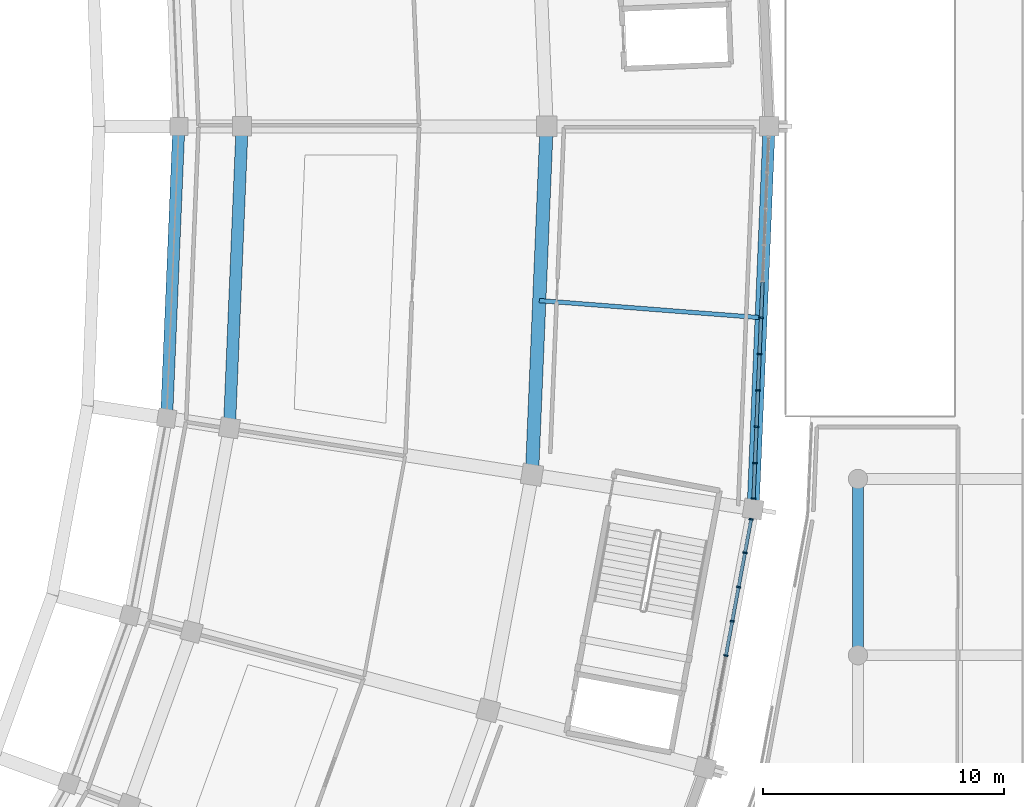
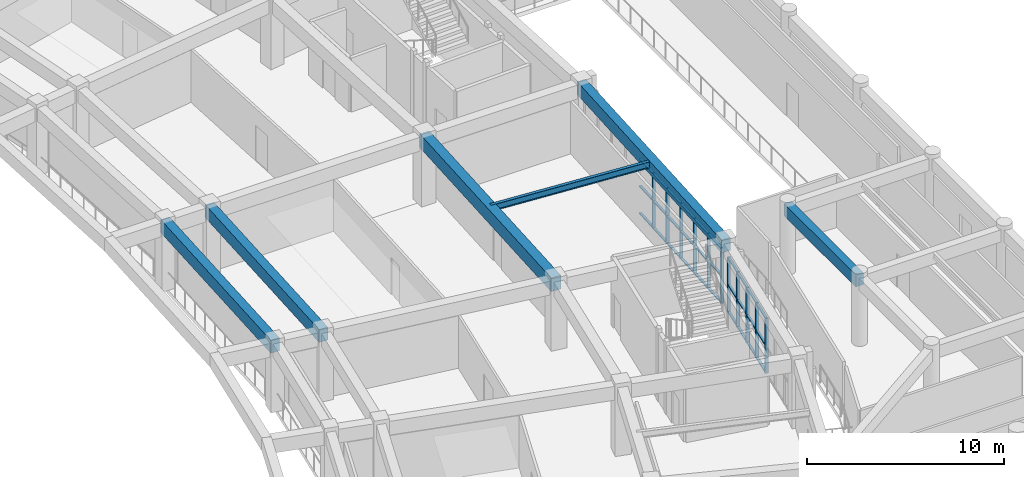
# One storey, part 48 of 145: 41 members, 6 beams, 2 elements without a shape of their own.
"""IFC4 building model written with IfcOpenShell, lengths in metres."""

from ifc_helpers import new_model, si_unit, direction, frame, origin, origin_2d, place, context, subcontext, project, spatial, rectangle, i_section, extrude, material, layer, layer_set, material_profile, profile_set, type_object, element, aggregate, save


model = new_model("IFC4")

# Units and contexts
model_context = context("Model", 3, precision=1e-05, world=origin(), true_north=direction((0.0, 1.0)))
body_context = subcontext(model_context, "Body", "Model", "MODEL_VIEW")
ifc_project = project(units=[si_unit("LENGTHUNIT", "METRE"), si_unit("AREAUNIT", "SQUARE_METRE"), si_unit("VOLUMEUNIT", "CUBIC_METRE"), si_unit("PLANEANGLEUNIT", "RADIAN"), si_unit("MASSUNIT", "GRAM", prefix="KILO")], contexts=[model_context])

# Site, building, storey
site_placement = place(None, origin())
site = spatial("IfcSite", under=ifc_project, at=site_placement, CompositionType="ELEMENT")
building_placement = place(site_placement, origin())
building = spatial("IfcBuilding", under=site, at=building_placement, Name="Mphavela Belvedere Stadium", CompositionType="ELEMENT")
storey_placement = place(building_placement, frame((0.0, 0.0, 10.199951171875)))
storey = spatial("IfcBuildingStorey", under=building, at=storey_placement, Name="L02", CompositionType="ELEMENT", Elevation=10.199951171875)

# Beams
ifc_material_1 = material(Name="Steel S355", Category="steel")
ifc_material_profile_1 = material_profile(ifc_material_1, i_section(OverallWidth=0.179931640625, OverallDepth=0.39990234375, WebThickness=0.008544921875, FlangeThickness=0.013427734375, at=origin_2d()), Name="IPE 400")
ifc_profile_set_1 = profile_set([ifc_material_profile_1], Name="Steel S355")
beam_type_1 = type_object("IfcBeamType", Name="BM-JOIST-IPE400", PredefinedType="JOIST", material=ifc_profile_set_1)
beam_1_placement = place(storey_placement, frame((208.302490234375, 79.78759765625, 4.050048828125), z_axis=(0.997024166372, -0.077089634, 0.0), x_axis=(0.077089634, 0.997024166372, 0.0)))
element("IfcBeam", 1, at=beam_1_placement, inside=storey, type_object=beam_type_1, Name="Concourse floor joist L02-48", PredefinedType="JOIST", context=body_context, shape_type="SweptSolid", body=[
    extrude(i_section(OverallWidth=0.179931640625, OverallDepth=0.39990234375, WebThickness=0.008544921875, FlangeThickness=0.013427734375, at=origin_2d()), origin(), (0.0, 0.0, 1.0), 9.212646484375),
])
ifc_material_2 = material(Name="Concrete C40/50", Category="concrete")
ifc_material_profile_2 = material_profile(ifc_material_2, rectangle(XDim=0.449951171875, YDim=0.75, at=origin_2d()), Name="RC 450x750")
ifc_profile_set_2 = profile_set([ifc_material_profile_2], Name="Concrete C40/50")
beam_type_2 = type_object("IfcBeamType", Name="BM-RC450x750", PredefinedType="BEAM", material=ifc_profile_set_2)
beam_2_placement = place(storey_placement, frame((221.5, 65.10009765625, 3.864990234375), z_axis=(0.0, 1.0, 0.0), x_axis=(-1.0, 0.0, 0.0)))
element("IfcBeam", 2, at=beam_2_placement, inside=storey, type_object=beam_type_2, Name="East Planted Eaves Peristyle Colonnade entablature beam Y L02 8-3", PredefinedType="BEAM", context=body_context, shape_type="SweptSolid", body=[
    extrude(rectangle(XDim=0.449951171875, YDim=0.75, at=origin_2d()), origin(), (0.0, 0.0, 1.0), 7.2998046875),
])
ifc_material_3 = material(Name="Concrete C40/50", Category="concrete")
ifc_material_profile_3 = material_profile(ifc_material_3, rectangle(XDim=0.5, YDim=0.800048828125, at=origin_2d()), Name="RC 500x800")
ifc_profile_set_3 = profile_set([ifc_material_profile_3], Name="Concrete C40/50")
beam_type_3 = type_object("IfcBeamType", Name="BM-RC500x800", PredefinedType="BEAM", material=ifc_profile_set_3)
beam_3_placement = place(storey_placement, frame((192.869384765625, 74.921875, 3.85009765625), z_axis=(0.041906072647, 0.999121554705, 0.0), x_axis=(-0.999121554705, 0.041906072647, 0.0)))
element("IfcBeam", 3, at=beam_3_placement, inside=storey, type_object=beam_type_3, Name="Circumferential girder L02 R1-48", PredefinedType="BEAM", context=body_context, shape_type="SweptSolid", body=[
    extrude(rectangle(XDim=0.5, YDim=0.800048828125, at=origin_2d()), origin(), (0.0, 0.0, 1.0), 12.088623046875),
])
beam_4_placement = place(storey_placement, frame((195.471435546875, 74.518310546875, 3.85009765625), z_axis=(0.04191911123, 0.999121007743, 0.0), x_axis=(-0.999121007743, 0.04191911123, 0.0)))
element("IfcBeam", 4, at=beam_4_placement, inside=storey, type_object=beam_type_3, Name="Circumferential girder L02 R2-48", PredefinedType="BEAM", context=body_context, shape_type="SweptSolid", body=[
    extrude(rectangle(XDim=0.5, YDim=0.800048828125, at=origin_2d()), origin(), (0.0, 0.0, 1.0), 12.49267578125),
])
ifc_material_4 = material(Name="Concrete C40/50", Category="concrete")
ifc_material_profile_4 = material_profile(ifc_material_4, rectangle(XDim=0.550048828125, YDim=0.85009765625, at=origin_2d()), Name="RC 550x850")
ifc_profile_set_4 = profile_set([ifc_material_profile_4], Name="Concrete C40/50")
beam_type_4 = type_object("IfcBeamType", Name="BM-RC550x850", PredefinedType="BEAM", material=ifc_profile_set_4)
beam_5_placement = place(storey_placement, frame((208.0, 72.5751953125, 3.824951171875), z_axis=(0.041903450766, 0.99912166467, 0.0), x_axis=(-0.99912166467, 0.041903450766, 0.0)))
element("IfcBeam", 5, at=beam_5_placement, inside=storey, type_object=beam_type_4, Name="Circumferential girder L02 R3-48", PredefinedType="BEAM", context=body_context, shape_type="SweptSolid", body=[
    extrude(rectangle(XDim=0.550048828125, YDim=0.85009765625, at=origin_2d()), origin(), (0.0, 0.0, 1.0), 14.4375),
])
ifc_material_5 = material(Name="Concrete C40/50", Category="concrete")
ifc_material_profile_5 = material_profile(ifc_material_5, rectangle(XDim=0.5, YDim=0.800048828125, at=origin_2d()), Name="RC 500x800")
ifc_profile_set_5 = profile_set([ifc_material_profile_5], Name="Concrete C40/50")
beam_type_5 = type_object("IfcBeamType", Name="BM-SPANDREL-800", PredefinedType="SPANDREL", material=ifc_profile_set_5)
beam_6_placement = place(storey_placement, frame((217.155517578125, 71.155029296875, 3.85009765625), z_axis=(0.041903963155, 0.999121643181, 0.0), x_axis=(-0.999121643181, 0.041903963155, 0.0)))
element("IfcBeam", 6, at=beam_6_placement, inside=storey, type_object=beam_type_5, Name="Circumferential girder L02 R4-48", PredefinedType="SPANDREL", context=body_context, shape_type="SweptSolid", body=[
    extrude(rectangle(XDim=0.5, YDim=0.800048828125, at=origin_2d()), origin(), (0.0, 0.0, 1.0), 15.85888671875),
])

# Curtain wall, members
ifc_material_6 = material(Name="Anodised bronze unitised curtain wall framing")
ifc_layer_1 = layer(ifc_material_6, 0.199951171875)
ifc_layer_set_1 = layer_set([ifc_layer_1], Name="Anodised bronze unitised curtain wall framing")
curtain_wall_type_1 = type_object("IfcCurtainWallType", Name="CW-UNIT-05", PredefinedType="USERDEFINED", material=ifc_layer_set_1)
curtain_wall_1_placement = place(storey_placement, origin())
curtain_wall_1 = element("IfcCurtainWall", 7, at=curtain_wall_1_placement, inside=storey, type_object=curtain_wall_type_1, Name="Belvedere colonnade curtain wall L02-47", ObjectType="UNITISED CURTAIN WALL", PredefinedType="USERDEFINED")
ifc_material_7 = material(Name="Anodised bronze extruded aluminium", Category="aluminium")
ifc_material_profile_6 = material_profile(ifc_material_7, rectangle(XDim=0.179931640625, YDim=0.06494140625, at=origin_2d()), Name="CW-MUL 180x65")
ifc_profile_set_6 = profile_set([ifc_material_profile_6], Name="Anodised bronze extruded aluminium")
member_type_1 = type_object("IfcMemberType", Name="CWM-180x65", PredefinedType="MULLION", material=ifc_profile_set_6)
member_1_placement = place(storey_placement, frame((216.028076171875, 65.086669921875, 0.0), z_axis=(0.0, 0.0, 1.0), x_axis=(-0.983182568174, 0.182625402503, 0.0)))
member_1 = element("IfcMember", 8, at=member_1_placement, type_object=member_type_1, Name="CW-05 mullion 4", PredefinedType="MULLION", context=body_context, shape_type="SweptSolid", body=[
    extrude(rectangle(XDim=0.179931640625, YDim=0.06494140625, at=origin_2d()), origin(), (0.0, 0.0, 1.0), 3.420166015625),
])
member_2_placement = place(storey_placement, frame((216.291748046875, 66.505859375, 0.0), z_axis=(0.0, 0.0, 1.0), x_axis=(-0.983182568174, 0.182625402503, 0.0)))
member_2 = element("IfcMember", 9, at=member_2_placement, type_object=member_type_1, Name="CW-05 mullion 5", PredefinedType="MULLION", context=body_context, shape_type="SweptSolid", body=[
    extrude(rectangle(XDim=0.179931640625, YDim=0.06494140625, at=origin_2d()), origin(), (0.0, 0.0, 1.0), 3.420166015625),
])
member_3_placement = place(storey_placement, frame((216.555419921875, 67.925048828125, 0.0), z_axis=(0.0, 0.0, 1.0), x_axis=(-0.983182568174, 0.182625402503, 0.0)))
member_3 = element("IfcMember", 10, at=member_3_placement, type_object=member_type_1, Name="CW-05 mullion 6", PredefinedType="MULLION", context=body_context, shape_type="SweptSolid", body=[
    extrude(rectangle(XDim=0.179931640625, YDim=0.06494140625, at=origin_2d()), origin(), (0.0, 0.0, 1.0), 3.420166015625),
])
member_4_placement = place(storey_placement, frame((216.819091796875, 69.344482421875, 0.0), z_axis=(0.0, 0.0, 1.0), x_axis=(-0.983182568174, 0.182625402503, 0.0)))
member_4 = element("IfcMember", 11, at=member_4_placement, type_object=member_type_1, Name="CW-05 mullion 7", PredefinedType="MULLION", context=body_context, shape_type="SweptSolid", body=[
    extrude(rectangle(XDim=0.179931640625, YDim=0.06494140625, at=origin_2d()), origin(), (0.0, 0.0, 1.0), 3.420166015625),
])
member_5_placement = place(storey_placement, frame((217.07666015625, 70.731689453125, 0.0), z_axis=(0.0, 0.0, 1.0), x_axis=(-0.983182568174, 0.182625402503, 0.0)))
member_5 = element("IfcMember", 12, at=member_5_placement, type_object=member_type_1, Name="CW-05 mullion 8", PredefinedType="MULLION", context=body_context, shape_type="SweptSolid", body=[
    extrude(rectangle(XDim=0.179931640625, YDim=0.06494140625, at=origin_2d()), origin(), (0.0, 0.0, 1.0), 3.420166015625),
])

ifc_material_8 = material(Name="Anodised bronze unitised curtain wall framing")
ifc_layer_2 = layer(ifc_material_8, 0.205078125)
ifc_layer_set_2 = layer_set([ifc_layer_2], Name="Anodised bronze unitised curtain wall framing")
curtain_wall_type_2 = type_object("IfcCurtainWallType", Name="CW-UNIT-06", PredefinedType="USERDEFINED", material=ifc_layer_set_2)
curtain_wall_2_placement = place(storey_placement, origin())
curtain_wall_2 = element("IfcCurtainWall", 13, at=curtain_wall_2_placement, inside=storey, type_object=curtain_wall_type_2, Name="Belvedere colonnade curtain wall L02-48", ObjectType="UNITISED CURTAIN WALL", PredefinedType="USERDEFINED")
member_6_placement = place(storey_placement, frame((217.17333984375, 71.585205078125, 0.0), z_axis=(0.0, 0.0, 1.0), x_axis=(-0.999121621767, 0.04190447371, 0.0)))
member_6 = element("IfcMember", 14, at=member_6_placement, type_object=member_type_1, Name="CW-06 mullion 1", PredefinedType="MULLION", context=body_context, shape_type="SweptSolid", body=[
    extrude(rectangle(XDim=0.179931640625, YDim=0.06494140625, at=origin_2d()), origin(), (0.0, 0.0, 1.0), 3.420166015625),
])
member_7_placement = place(storey_placement, frame((217.235107421875, 73.0576171875, 0.0), z_axis=(0.0, 0.0, 1.0), x_axis=(-0.999121621767, 0.04190447371, 0.0)))
member_7 = element("IfcMember", 15, at=member_7_placement, type_object=member_type_1, Name="CW-06 mullion 2", PredefinedType="MULLION", context=body_context, shape_type="SweptSolid", body=[
    extrude(rectangle(XDim=0.179931640625, YDim=0.06494140625, at=origin_2d()), origin(), (0.0, 0.0, 1.0), 3.420166015625),
])
member_8_placement = place(storey_placement, frame((217.29833984375, 74.5625, 0.0), z_axis=(0.0, 0.0, 1.0), x_axis=(-0.999121621767, 0.04190447371, 0.0)))
member_8 = element("IfcMember", 16, at=member_8_placement, type_object=member_type_1, Name="CW-06 mullion 3", PredefinedType="MULLION", context=body_context, shape_type="SweptSolid", body=[
    extrude(rectangle(XDim=0.179931640625, YDim=0.06494140625, at=origin_2d()), origin(), (0.0, 0.0, 1.0), 3.420166015625),
])
member_9_placement = place(storey_placement, frame((217.361572265625, 76.067626953125, 0.0), z_axis=(0.0, 0.0, 1.0), x_axis=(-0.999121621767, 0.04190447371, 0.0)))
member_9 = element("IfcMember", 17, at=member_9_placement, type_object=member_type_1, Name="CW-06 mullion 4", PredefinedType="MULLION", context=body_context, shape_type="SweptSolid", body=[
    extrude(rectangle(XDim=0.179931640625, YDim=0.06494140625, at=origin_2d()), origin(), (0.0, 0.0, 1.0), 3.420166015625),
])
member_10_placement = place(storey_placement, frame((217.424560546875, 77.572509765625, 0.0), z_axis=(0.0, 0.0, 1.0), x_axis=(-0.999121621767, 0.04190447371, 0.0)))
member_10 = element("IfcMember", 18, at=member_10_placement, type_object=member_type_1, Name="CW-06 mullion 5", PredefinedType="MULLION", context=body_context, shape_type="SweptSolid", body=[
    extrude(rectangle(XDim=0.179931640625, YDim=0.06494140625, at=origin_2d()), origin(), (0.0, 0.0, 1.0), 3.420166015625),
])
member_11_placement = place(storey_placement, frame((217.48779296875, 79.077392578125, 0.0), z_axis=(0.0, 0.0, 1.0), x_axis=(-0.999121621767, 0.04190447371, 0.0)))
member_11 = element("IfcMember", 19, at=member_11_placement, type_object=member_type_1, Name="CW-06 mullion 6", PredefinedType="MULLION", context=body_context, shape_type="SweptSolid", body=[
    extrude(rectangle(XDim=0.179931640625, YDim=0.06494140625, at=origin_2d()), origin(), (0.0, 0.0, 1.0), 3.420166015625),
])

# Member
ifc_material_9 = material(Name="Anodised bronze extruded aluminium", Category="aluminium")
ifc_material_profile_7 = material_profile(ifc_material_9, rectangle(XDim=0.139892578125, YDim=0.06005859375, at=origin_2d()), Name="CW-TRN 140x60")
ifc_profile_set_7 = profile_set([ifc_material_profile_7], Name="Anodised bronze extruded aluminium")
member_type_2 = type_object("IfcMemberType", Name="CWT-140x60", PredefinedType="USERDEFINED", material=ifc_profile_set_7)
member_12_placement = place(storey_placement, frame((216.0341796875, 65.11865234375, 0.030029296875), z_axis=(0.182609315167, 0.983185556248, 0.0), x_axis=(-0.983185556248, 0.182609315167, 0.0)))
member_12 = element("IfcMember", 20, at=member_12_placement, type_object=member_type_2, Name="CW-05 transom 4.1", ObjectType="TRANSOM", PredefinedType="USERDEFINED", context=body_context, shape_type="SweptSolid", body=[
    extrude(rectangle(XDim=0.139892578125, YDim=0.06005859375, at=origin_2d()), origin(), (0.0, 0.0, 1.0), 1.37841796875),
])

member_13_placement = place(storey_placement, frame((216.0341796875, 65.11865234375, 1.7099609375), z_axis=(0.182609315167, 0.983185556248, 0.0), x_axis=(-0.983185556248, 0.182609315167, 0.0)))
member_13 = element("IfcMember", 21, at=member_13_placement, type_object=member_type_2, Name="CW-05 transom 4.2", ObjectType="TRANSOM", PredefinedType="USERDEFINED", context=body_context, shape_type="SweptSolid", body=[
    extrude(rectangle(XDim=0.139892578125, YDim=0.06005859375, at=origin_2d()), origin(), (0.0, 0.0, 1.0), 1.37841796875),
])

member_14_placement = place(storey_placement, frame((216.0341796875, 65.11865234375, 3.39013671875), z_axis=(0.182609315167, 0.983185556248, 0.0), x_axis=(-0.983185556248, 0.182609315167, 0.0)))
member_14 = element("IfcMember", 22, at=member_14_placement, type_object=member_type_2, Name="CW-05 transom 4.3", ObjectType="TRANSOM", PredefinedType="USERDEFINED", context=body_context, shape_type="SweptSolid", body=[
    extrude(rectangle(XDim=0.139892578125, YDim=0.06005859375, at=origin_2d()), origin(), (0.0, 0.0, 1.0), 1.37841796875),
])

member_15_placement = place(storey_placement, frame((216.2978515625, 66.537841796875, 0.030029296875), z_axis=(0.182577520933, 0.983191460932, 0.0), x_axis=(-0.983191460932, 0.182577520933, 0.0)))
member_15 = element("IfcMember", 23, at=member_15_placement, type_object=member_type_2, Name="CW-05 transom 5.1", ObjectType="TRANSOM", PredefinedType="USERDEFINED", context=body_context, shape_type="SweptSolid", body=[
    extrude(rectangle(XDim=0.139892578125, YDim=0.06005859375, at=origin_2d()), origin(), (0.0, 0.0, 1.0), 1.378662109375),
])

member_16_placement = place(storey_placement, frame((216.2978515625, 66.537841796875, 1.7099609375), z_axis=(0.182577520933, 0.983191460932, 0.0), x_axis=(-0.983191460932, 0.182577520933, 0.0)))
member_16 = element("IfcMember", 24, at=member_16_placement, type_object=member_type_2, Name="CW-05 transom 5.2", ObjectType="TRANSOM", PredefinedType="USERDEFINED", context=body_context, shape_type="SweptSolid", body=[
    extrude(rectangle(XDim=0.139892578125, YDim=0.06005859375, at=origin_2d()), origin(), (0.0, 0.0, 1.0), 1.378662109375),
])

member_17_placement = place(storey_placement, frame((216.2978515625, 66.537841796875, 3.39013671875), z_axis=(0.182577520933, 0.983191460932, 0.0), x_axis=(-0.983191460932, 0.182577520933, 0.0)))
member_17 = element("IfcMember", 25, at=member_17_placement, type_object=member_type_2, Name="CW-05 transom 5.3", ObjectType="TRANSOM", PredefinedType="USERDEFINED", context=body_context, shape_type="SweptSolid", body=[
    extrude(rectangle(XDim=0.139892578125, YDim=0.06005859375, at=origin_2d()), origin(), (0.0, 0.0, 1.0), 1.378662109375),
])

member_18_placement = place(storey_placement, frame((216.561279296875, 67.95703125, 0.030029296875), z_axis=(0.182748697286, 0.983159658265, 0.0), x_axis=(-0.983159658265, 0.182748697286, 0.0)))
member_18 = element("IfcMember", 26, at=member_18_placement, type_object=member_type_2, Name="CW-05 transom 6.1", ObjectType="TRANSOM", PredefinedType="USERDEFINED", context=body_context, shape_type="SweptSolid", body=[
    extrude(rectangle(XDim=0.139892578125, YDim=0.06005859375, at=origin_2d()), origin(), (0.0, 0.0, 1.0), 1.378662109375),
])

member_19_placement = place(storey_placement, frame((216.561279296875, 67.95703125, 1.7099609375), z_axis=(0.182748697286, 0.983159658265, 0.0), x_axis=(-0.983159658265, 0.182748697286, 0.0)))
member_19 = element("IfcMember", 27, at=member_19_placement, type_object=member_type_2, Name="CW-05 transom 6.2", ObjectType="TRANSOM", PredefinedType="USERDEFINED", context=body_context, shape_type="SweptSolid", body=[
    extrude(rectangle(XDim=0.139892578125, YDim=0.06005859375, at=origin_2d()), origin(), (0.0, 0.0, 1.0), 1.378662109375),
])

member_20_placement = place(storey_placement, frame((216.561279296875, 67.95703125, 3.39013671875), z_axis=(0.182748697286, 0.983159658265, 0.0), x_axis=(-0.983159658265, 0.182748697286, 0.0)))
member_20 = element("IfcMember", 28, at=member_20_placement, type_object=member_type_2, Name="CW-05 transom 6.3", ObjectType="TRANSOM", PredefinedType="USERDEFINED", context=body_context, shape_type="SweptSolid", body=[
    extrude(rectangle(XDim=0.139892578125, YDim=0.06005859375, at=origin_2d()), origin(), (0.0, 0.0, 1.0), 1.378662109375),
])

member_21_placement = place(storey_placement, frame((216.824951171875, 69.37646484375, 0.030029296875), z_axis=(0.182667343216, 0.983174776793, 0.0), x_axis=(-0.983174776793, 0.182667343216, 0.0)))
member_21 = element("IfcMember", 29, at=member_21_placement, type_object=member_type_2, Name="CW-05 transom 7.1", ObjectType="TRANSOM", PredefinedType="USERDEFINED", context=body_context, shape_type="SweptSolid", body=[
    extrude(rectangle(XDim=0.139892578125, YDim=0.06005859375, at=origin_2d()), origin(), (0.0, 0.0, 1.0), 1.345947265625),
])

member_22_placement = place(storey_placement, frame((216.824951171875, 69.37646484375, 1.7099609375), z_axis=(0.182667343216, 0.983174776793, 0.0), x_axis=(-0.983174776793, 0.182667343216, 0.0)))
member_22 = element("IfcMember", 30, at=member_22_placement, type_object=member_type_2, Name="CW-05 transom 7.2", ObjectType="TRANSOM", PredefinedType="USERDEFINED", context=body_context, shape_type="SweptSolid", body=[
    extrude(rectangle(XDim=0.139892578125, YDim=0.06005859375, at=origin_2d()), origin(), (0.0, 0.0, 1.0), 1.345947265625),
])

member_23_placement = place(storey_placement, frame((216.824951171875, 69.37646484375, 3.39013671875), z_axis=(0.182667343216, 0.983174776793, 0.0), x_axis=(-0.983174776793, 0.182667343216, 0.0)))
member_23 = element("IfcMember", 31, at=member_23_placement, type_object=member_type_2, Name="CW-05 transom 7.3", ObjectType="TRANSOM", PredefinedType="USERDEFINED", context=body_context, shape_type="SweptSolid", body=[
    extrude(rectangle(XDim=0.139892578125, YDim=0.06005859375, at=origin_2d()), origin(), (0.0, 0.0, 1.0), 1.345947265625),
])

aggregate(curtain_wall_1, [member_1, member_2, member_3, member_4, member_5, member_12, member_13, member_14, member_15, member_16, member_17, member_18, member_19, member_20, member_21, member_22, member_23])

member_24_placement = place(storey_placement, frame((217.1748046875, 71.61767578125, 0.030029296875), z_axis=(0.041940514571, 0.999120109515, 0.0), x_axis=(-0.999120109515, 0.041940514571, 0.0)))
member_24 = element("IfcMember", 32, at=member_24_placement, type_object=member_type_2, Name="CW-06 transom 1.1", ObjectType="TRANSOM", PredefinedType="USERDEFINED", context=body_context, shape_type="SweptSolid", body=[
    extrude(rectangle(XDim=0.139892578125, YDim=0.06005859375, at=origin_2d()), origin(), (0.0, 0.0, 1.0), 1.40869140625),
])

member_25_placement = place(storey_placement, frame((217.1748046875, 71.61767578125, 1.7099609375), z_axis=(0.041940514571, 0.999120109515, 0.0), x_axis=(-0.999120109515, 0.041940514571, 0.0)))
member_25 = element("IfcMember", 33, at=member_25_placement, type_object=member_type_2, Name="CW-06 transom 1.2", ObjectType="TRANSOM", PredefinedType="USERDEFINED", context=body_context, shape_type="SweptSolid", body=[
    extrude(rectangle(XDim=0.139892578125, YDim=0.06005859375, at=origin_2d()), origin(), (0.0, 0.0, 1.0), 1.40869140625),
])

member_26_placement = place(storey_placement, frame((217.1748046875, 71.61767578125, 3.39013671875), z_axis=(0.041940514571, 0.999120109515, 0.0), x_axis=(-0.999120109515, 0.041940514571, 0.0)))
member_26 = element("IfcMember", 34, at=member_26_placement, type_object=member_type_2, Name="CW-06 transom 1.3", ObjectType="TRANSOM", PredefinedType="USERDEFINED", context=body_context, shape_type="SweptSolid", body=[
    extrude(rectangle(XDim=0.139892578125, YDim=0.06005859375, at=origin_2d()), origin(), (0.0, 0.0, 1.0), 1.40869140625),
])

member_27_placement = place(storey_placement, frame((217.236572265625, 73.090087890625, 0.030029296875), z_axis=(0.04184192744, 0.999124243079, 0.0), x_axis=(-0.999124243079, 0.04184192744, 0.0)))
member_27 = element("IfcMember", 35, at=member_27_placement, type_object=member_type_2, Name="CW-06 transom 2.1", ObjectType="TRANSOM", PredefinedType="USERDEFINED", context=body_context, shape_type="SweptSolid", body=[
    extrude(rectangle(XDim=0.139892578125, YDim=0.06005859375, at=origin_2d()), origin(), (0.0, 0.0, 1.0), 1.441162109375),
])

member_28_placement = place(storey_placement, frame((217.236572265625, 73.090087890625, 1.7099609375), z_axis=(0.04184192744, 0.999124243079, 0.0), x_axis=(-0.999124243079, 0.04184192744, 0.0)))
member_28 = element("IfcMember", 36, at=member_28_placement, type_object=member_type_2, Name="CW-06 transom 2.2", ObjectType="TRANSOM", PredefinedType="USERDEFINED", context=body_context, shape_type="SweptSolid", body=[
    extrude(rectangle(XDim=0.139892578125, YDim=0.06005859375, at=origin_2d()), origin(), (0.0, 0.0, 1.0), 1.441162109375),
])

member_29_placement = place(storey_placement, frame((217.236572265625, 73.090087890625, 3.39013671875), z_axis=(0.04184192744, 0.999124243079, 0.0), x_axis=(-0.999124243079, 0.04184192744, 0.0)))
member_29 = element("IfcMember", 37, at=member_29_placement, type_object=member_type_2, Name="CW-06 transom 2.3", ObjectType="TRANSOM", PredefinedType="USERDEFINED", context=body_context, shape_type="SweptSolid", body=[
    extrude(rectangle(XDim=0.139892578125, YDim=0.06005859375, at=origin_2d()), origin(), (0.0, 0.0, 1.0), 1.441162109375),
])

member_30_placement = place(storey_placement, frame((217.2998046875, 74.594970703125, 0.030029296875), z_axis=(0.041834846801, 0.999124539581, 0.0), x_axis=(-0.999124539581, 0.041834846801, 0.0)))
member_30 = element("IfcMember", 38, at=member_30_placement, type_object=member_type_2, Name="CW-06 transom 3.1", ObjectType="TRANSOM", PredefinedType="USERDEFINED", context=body_context, shape_type="SweptSolid", body=[
    extrude(rectangle(XDim=0.139892578125, YDim=0.06005859375, at=origin_2d()), origin(), (0.0, 0.0, 1.0), 1.44140625),
])

member_31_placement = place(storey_placement, frame((217.2998046875, 74.594970703125, 1.7099609375), z_axis=(0.041834846801, 0.999124539581, 0.0), x_axis=(-0.999124539581, 0.041834846801, 0.0)))
member_31 = element("IfcMember", 39, at=member_31_placement, type_object=member_type_2, Name="CW-06 transom 3.2", ObjectType="TRANSOM", PredefinedType="USERDEFINED", context=body_context, shape_type="SweptSolid", body=[
    extrude(rectangle(XDim=0.139892578125, YDim=0.06005859375, at=origin_2d()), origin(), (0.0, 0.0, 1.0), 1.44140625),
])

member_32_placement = place(storey_placement, frame((217.2998046875, 74.594970703125, 3.39013671875), z_axis=(0.041834846801, 0.999124539581, 0.0), x_axis=(-0.999124539581, 0.041834846801, 0.0)))
member_32 = element("IfcMember", 40, at=member_32_placement, type_object=member_type_2, Name="CW-06 transom 3.3", ObjectType="TRANSOM", PredefinedType="USERDEFINED", context=body_context, shape_type="SweptSolid", body=[
    extrude(rectangle(XDim=0.139892578125, YDim=0.06005859375, at=origin_2d()), origin(), (0.0, 0.0, 1.0), 1.44140625),
])

member_33_placement = place(storey_placement, frame((217.36279296875, 76.10009765625, 0.030029296875), z_axis=(0.042011029578, 0.999117146982, 0.0), x_axis=(-0.999117146982, 0.042011029578, 0.0)))
member_33 = element("IfcMember", 41, at=member_33_placement, type_object=member_type_2, Name="CW-06 transom 4.1", ObjectType="TRANSOM", PredefinedType="USERDEFINED", context=body_context, shape_type="SweptSolid", body=[
    extrude(rectangle(XDim=0.139892578125, YDim=0.06005859375, at=origin_2d()), origin(), (0.0, 0.0, 1.0), 1.441162109375),
])

member_34_placement = place(storey_placement, frame((217.36279296875, 76.10009765625, 1.7099609375), z_axis=(0.042011029578, 0.999117146982, 0.0), x_axis=(-0.999117146982, 0.042011029578, 0.0)))
member_34 = element("IfcMember", 42, at=member_34_placement, type_object=member_type_2, Name="CW-06 transom 4.2", ObjectType="TRANSOM", PredefinedType="USERDEFINED", context=body_context, shape_type="SweptSolid", body=[
    extrude(rectangle(XDim=0.139892578125, YDim=0.06005859375, at=origin_2d()), origin(), (0.0, 0.0, 1.0), 1.441162109375),
])

member_35_placement = place(storey_placement, frame((217.36279296875, 76.10009765625, 3.39013671875), z_axis=(0.042011029578, 0.999117146982, 0.0), x_axis=(-0.999117146982, 0.042011029578, 0.0)))
member_35 = element("IfcMember", 43, at=member_35_placement, type_object=member_type_2, Name="CW-06 transom 4.3", ObjectType="TRANSOM", PredefinedType="USERDEFINED", context=body_context, shape_type="SweptSolid", body=[
    extrude(rectangle(XDim=0.139892578125, YDim=0.06005859375, at=origin_2d()), origin(), (0.0, 0.0, 1.0), 1.441162109375),
])

member_36_placement = place(storey_placement, frame((217.426025390625, 77.60498046875, 0.030029296875), z_axis=(0.04184192744, 0.999124243079, 0.0), x_axis=(-0.999124243079, 0.04184192744, 0.0)))
member_36 = element("IfcMember", 44, at=member_36_placement, type_object=member_type_2, Name="CW-06 transom 5.1", ObjectType="TRANSOM", PredefinedType="USERDEFINED", context=body_context, shape_type="SweptSolid", body=[
    extrude(rectangle(XDim=0.139892578125, YDim=0.06005859375, at=origin_2d()), origin(), (0.0, 0.0, 1.0), 1.441162109375),
])

member_37_placement = place(storey_placement, frame((217.426025390625, 77.60498046875, 1.7099609375), z_axis=(0.04184192744, 0.999124243079, 0.0), x_axis=(-0.999124243079, 0.04184192744, 0.0)))
member_37 = element("IfcMember", 45, at=member_37_placement, type_object=member_type_2, Name="CW-06 transom 5.2", ObjectType="TRANSOM", PredefinedType="USERDEFINED", context=body_context, shape_type="SweptSolid", body=[
    extrude(rectangle(XDim=0.139892578125, YDim=0.06005859375, at=origin_2d()), origin(), (0.0, 0.0, 1.0), 1.441162109375),
])

member_38_placement = place(storey_placement, frame((217.426025390625, 77.60498046875, 3.39013671875), z_axis=(0.04184192744, 0.999124243079, 0.0), x_axis=(-0.999124243079, 0.04184192744, 0.0)))
member_38 = element("IfcMember", 46, at=member_38_placement, type_object=member_type_2, Name="CW-06 transom 5.3", ObjectType="TRANSOM", PredefinedType="USERDEFINED", context=body_context, shape_type="SweptSolid", body=[
    extrude(rectangle(XDim=0.139892578125, YDim=0.06005859375, at=origin_2d()), origin(), (0.0, 0.0, 1.0), 1.441162109375),
])

member_39_placement = place(storey_placement, frame((217.489013671875, 79.10986328125, 0.030029296875), z_axis=(0.042003920424, 0.999117445884, 0.0), x_axis=(-0.999117445884, 0.042003920424, 0.0)))
member_39 = element("IfcMember", 47, at=member_39_placement, type_object=member_type_2, Name="CW-06 transom 6.1", ObjectType="TRANSOM", PredefinedType="USERDEFINED", context=body_context, shape_type="SweptSolid", body=[
    extrude(rectangle(XDim=0.139892578125, YDim=0.06005859375, at=origin_2d()), origin(), (0.0, 0.0, 1.0), 1.44140625),
])

member_40_placement = place(storey_placement, frame((217.489013671875, 79.10986328125, 1.7099609375), z_axis=(0.042003920424, 0.999117445884, 0.0), x_axis=(-0.999117445884, 0.042003920424, 0.0)))
member_40 = element("IfcMember", 48, at=member_40_placement, type_object=member_type_2, Name="CW-06 transom 6.2", ObjectType="TRANSOM", PredefinedType="USERDEFINED", context=body_context, shape_type="SweptSolid", body=[
    extrude(rectangle(XDim=0.139892578125, YDim=0.06005859375, at=origin_2d()), origin(), (0.0, 0.0, 1.0), 1.44140625),
])

member_41_placement = place(storey_placement, frame((217.489013671875, 79.10986328125, 3.39013671875), z_axis=(0.042003920424, 0.999117445884, 0.0), x_axis=(-0.999117445884, 0.042003920424, 0.0)))
member_41 = element("IfcMember", 49, at=member_41_placement, type_object=member_type_2, Name="CW-06 transom 6.3", ObjectType="TRANSOM", PredefinedType="USERDEFINED", context=body_context, shape_type="SweptSolid", body=[
    extrude(rectangle(XDim=0.139892578125, YDim=0.06005859375, at=origin_2d()), origin(), (0.0, 0.0, 1.0), 1.44140625),
])

aggregate(curtain_wall_2, [member_6, member_7, member_8, member_9, member_10, member_11, member_24, member_25, member_26, member_27, member_28, member_29, member_30, member_31, member_32, member_33, member_34, member_35, member_36, member_37, member_38, member_39, member_40, member_41])

save(model, "model.ifc")
